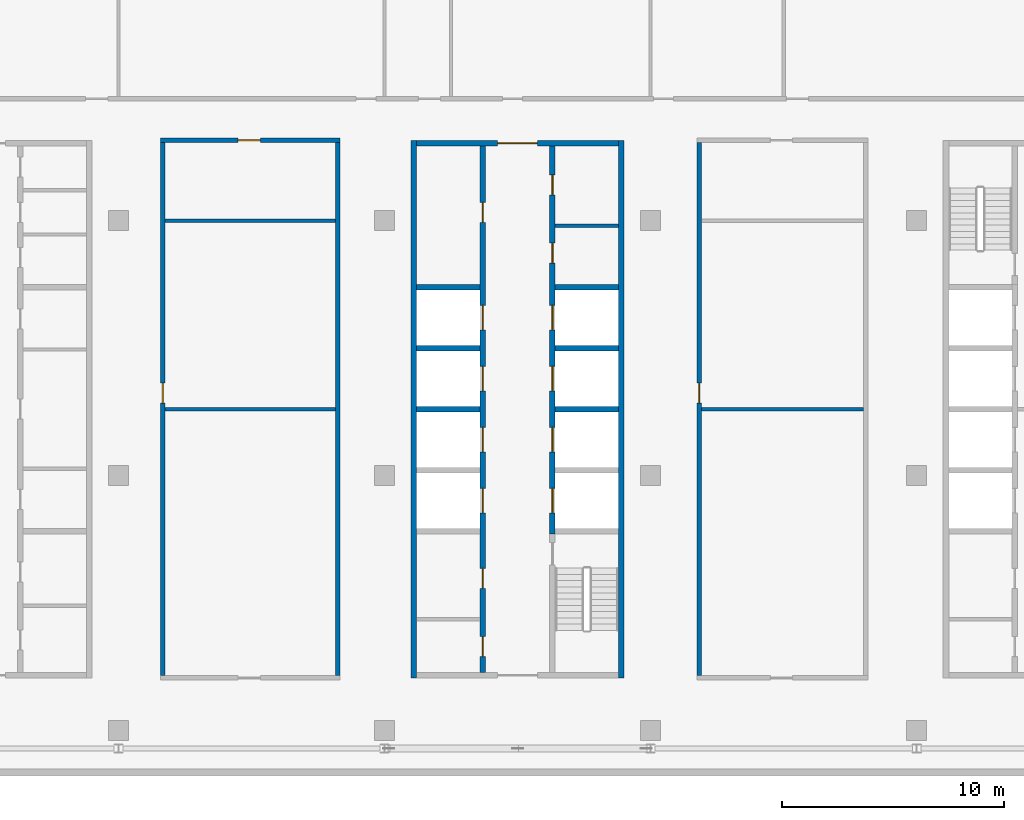
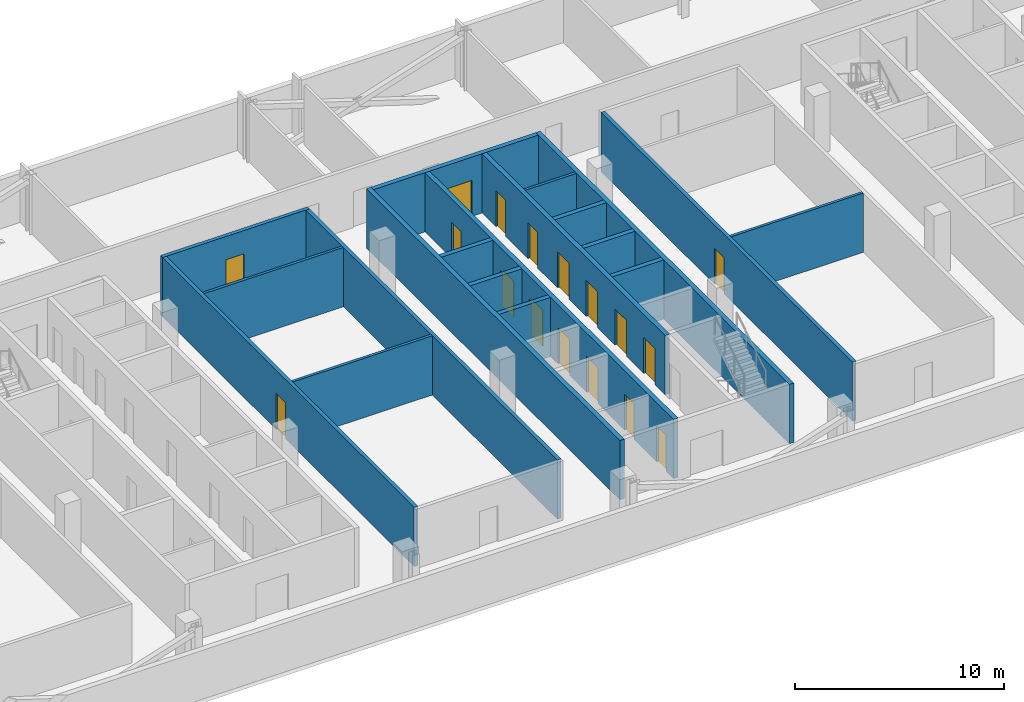
# One storey, part 15 of 28: 19 walls, 17 doors, 17 openings.
"""IFC4 building model written with IfcOpenShell, lengths in metres."""

from ifc_helpers import new_model, si_unit, direction, frame, frame_2d, origin, place, context, subcontext, project, spatial, rectangle, extrude, material, layer, layer_set, type_object, element, fill, save


model = new_model("IFC4")

# Units and contexts
model_context = context("Model", 3, precision=1e-05, world=origin(), true_north=direction((0.0, 1.0)))
body_context = subcontext(model_context, "Body", "Model", "MODEL_VIEW")
ifc_project = project(units=[si_unit("LENGTHUNIT", "METRE"), si_unit("AREAUNIT", "SQUARE_METRE"), si_unit("VOLUMEUNIT", "CUBIC_METRE"), si_unit("PLANEANGLEUNIT", "RADIAN"), si_unit("MASSUNIT", "GRAM", prefix="KILO")], contexts=[model_context])

# Site, building, storey
site_placement = place(None, origin())
site = spatial("IfcSite", under=ifc_project, at=site_placement, CompositionType="ELEMENT")
building_placement = place(site_placement, origin())
building = spatial("IfcBuilding", under=site, at=building_placement, Name="Mahtab Terrace Research Tower", CompositionType="ELEMENT")
storey_placement = place(building_placement, frame((0.0, 0.0, 270.89990234375)))
storey = spatial("IfcBuildingStorey", under=building, at=storey_placement, Name="L66", CompositionType="ELEMENT", Elevation=270.89990234375)

# Walls
ifc_material_1 = material(Name="Gypsum board partition")
ifc_layer_1 = layer(ifc_material_1, 0.14990234375)
ifc_layer_set_1 = layer_set([ifc_layer_1], Name="Core partition 150")
wall_type_1 = type_object("IfcWallType", Name="Core partition 150", PredefinedType="PARTITIONING", material=ifc_layer_set_1)
wall_1_placement = place(storey_placement, frame((1.699951171875, 11.27490234375, 0.0), z_axis=(0.0, 0.0, 1.0), x_axis=(1.0, 0.0, 0.0)))
element("IfcWall", 1, at=wall_1_placement, inside=storey, type_object=wall_type_1, Name="Core wall B pEN828", PredefinedType="PARTITIONING", context=body_context, shape_type="SweptSolid", body=[
    extrude(rectangle(XDim=2.85009765625, YDim=0.14990234375, at=frame_2d((1.425048828125, 0.0))), origin(), (0.0, 0.0, 1.0), 3.460205078125),
])
ifc_material_2 = material(Name="Concrete C70/85", Category="concrete")
ifc_layer_2 = layer(ifc_material_2, 0.25)
ifc_layer_set_2 = layer_set([ifc_layer_2], Name="Core wall 250")
wall_type_2 = type_object("IfcWallType", Name="Core wall 250", PredefinedType="SOLIDWALL", material=ifc_layer_set_2)
for number, where, z_axis, x_axis, name in (
    (2, (-4.675048828125, 15.125, 0.0), (0.0, 0.0, 1.0), (0.0, -1.0, 0.0), "Core wall B outerW"),
    (3, (4.675048828125, -9.125, 0.0), (0.0, 0.0, 1.0), (0.0, 1.0, 0.0), "Core wall B outerE"),
):
    element("IfcWall", number, at=place(storey_placement, frame(where, z_axis=z_axis, x_axis=x_axis)), inside=storey, type_object=wall_type_2, Name=name, PredefinedType="SOLIDWALL", context=body_context, shape_type="SweptSolid", body=[
        extrude(rectangle(XDim=24.25, YDim=0.25, at=frame_2d((12.125, 0.0))), origin(), (0.0, 0.0, 1.0), 3.460205078125),
    ])

# Wall, opening, door
wall_2_placement = place(storey_placement, frame((-4.550048828125, 15.0, 0.0), z_axis=(0.0, 0.0, 1.0), x_axis=(1.0, 0.0, 0.0)))
wall_2 = element("IfcWall", 4, at=wall_2_placement, inside=storey, type_object=wall_type_2, Name="Core wall B endN", PredefinedType="SOLIDWALL", context=body_context, shape_type="SweptSolid", body=[
    extrude(rectangle(XDim=9.10009765625, YDim=0.25, at=frame_2d((4.550048828125, 0.0))), origin(), (0.0, 0.0, 1.0), 3.460205078125),
])
opening_1_placement = place(wall_2_placement, frame((3.64990234375, 0.0, 0.0)))
opening_1 = element("IfcOpeningElement", 5, at=opening_1_placement, cuts=wall_2, Name="Opening B-N1", PredefinedType="OPENING", context=body_context, shape_type="SweptSolid", body=[
    extrude(rectangle(XDim=1.800048828125, YDim=2.10009765625, at=frame_2d((0.89990234375, 1.050048828125))), frame((0.0, 0.135009765625, 0.0), z_axis=(0.0, -1.0, 0.0), x_axis=(1.0, 0.0, 0.0)), (0.0, 0.0, 1.0), 0.27001953125),
])
ifc_material_3 = material(Name="Steel fire door", Category="steel")
door_type_1 = type_object("IfcDoorType", Name="Lobby double door 1800x2100 1 HR", OperationType="DOUBLE_DOOR_SINGLE_SWING", PredefinedType="DOOR", material=ifc_material_3)
door_1_placement = place(opening_1_placement, origin())
door_1 = element("IfcDoor", 6, at=door_1_placement, inside=storey, type_object=door_type_1, Name="Core entrance door B N", OperationType="DOUBLE_DOOR_SINGLE_SWING", OverallHeight=2.10009765625, OverallWidth=1.800048828125, PredefinedType="DOOR", context=body_context, shape_type="SweptSolid", body=[
    extrude(rectangle(XDim=1.800048828125, YDim=2.10009765625, at=frame_2d((0.89990234375, 1.050048828125))), frame((0.0, 0.02490234375, 0.0), z_axis=(0.0, -1.0, 0.0), x_axis=(1.0, 0.0, 0.0)), (0.0, 0.0, 1.0), 0.050048828125),
])
fill(opening_1, door_1)

# Wall, openings, doors
wall_3_placement = place(storey_placement, frame((-1.574951171875, -8.875, 0.0), z_axis=(0.0, 0.0, 1.0), x_axis=(0.0, 1.0, 0.0)))
wall_3 = element("IfcWall", 7, at=wall_3_placement, inside=storey, type_object=wall_type_2, Name="Core wall B innerWSLN", PredefinedType="SOLIDWALL", context=body_context, shape_type="SweptSolid", body=[
    extrude(rectangle(XDim=23.75, YDim=0.25, at=frame_2d((11.875, 0.0))), origin(), (0.0, 0.0, 1.0), 3.460205078125),
])
opening_2_placement = place(wall_3_placement, frame((7.199951171875, 0.0, 0.0)))
opening_2 = element("IfcOpeningElement", 8, at=opening_2_placement, cuts=wall_3, Name="Opening LD09-L66", PredefinedType="OPENING", context=body_context, shape_type="SweptSolid", body=[
    extrude(rectangle(XDim=1.10009765625, YDim=2.10009765625, at=frame_2d((0.550048828125, 1.050048828125))), frame((0.0, 0.135009765625, 0.0), z_axis=(0.0, -1.0, 0.0), x_axis=(1.0, 0.0, 0.0)), (0.0, 0.0, 1.0), 0.27001953125),
])
opening_3_placement = place(wall_3_placement, frame((9.949951171875, 0.0, 0.0)))
opening_3 = element("IfcOpeningElement", 9, at=opening_3_placement, cuts=wall_3, Name="Opening LD10-L66", PredefinedType="OPENING", context=body_context, shape_type="SweptSolid", body=[
    extrude(rectangle(XDim=1.10009765625, YDim=2.10009765625, at=frame_2d((0.550048828125, 1.050048828125))), frame((0.0, 0.135009765625, 0.0), z_axis=(0.0, -1.0, 0.0), x_axis=(1.0, 0.0, 0.0)), (0.0, 0.0, 1.0), 0.27001953125),
])
opening_4_placement = place(wall_3_placement, frame((12.699951171875, 0.0, 0.0)))
opening_4 = element("IfcOpeningElement", 10, at=opening_4_placement, cuts=wall_3, Name="Opening LD11-L66", PredefinedType="OPENING", context=body_context, shape_type="SweptSolid", body=[
    extrude(rectangle(XDim=1.10009765625, YDim=2.10009765625, at=frame_2d((0.550048828125, 1.050048828125))), frame((0.0, 0.135009765625, 0.0), z_axis=(0.0, -1.0, 0.0), x_axis=(1.0, 0.0, 0.0)), (0.0, 0.0, 1.0), 0.27001953125),
])
opening_5_placement = place(wall_3_placement, frame((15.449951171875, 0.0, 0.0)))
opening_5 = element("IfcOpeningElement", 11, at=opening_5_placement, cuts=wall_3, Name="Opening LD12-L66", PredefinedType="OPENING", context=body_context, shape_type="SweptSolid", body=[
    extrude(rectangle(XDim=1.10009765625, YDim=2.10009765625, at=frame_2d((0.550048828125, 1.050048828125))), frame((0.0, 0.135009765625, 0.0), z_axis=(0.0, -1.0, 0.0), x_axis=(1.0, 0.0, 0.0)), (0.0, 0.0, 1.0), 0.27001953125),
])
opening_6_placement = place(wall_3_placement, frame((0.71240234375, 0.0, 0.0)))
opening_6 = element("IfcOpeningElement", 12, at=opening_6_placement, cuts=wall_3, Name="Opening B-R1", PredefinedType="OPENING", context=body_context, shape_type="SweptSolid", body=[
    extrude(rectangle(XDim=0.89990234375, YDim=2.10009765625, at=frame_2d((0.449951171875, 1.050048828125))), frame((0.0, 0.135009765625, 0.0), z_axis=(0.0, -1.0, 0.0), x_axis=(1.0, 0.0, 0.0)), (0.0, 0.0, 1.0), 0.27001953125),
])
opening_7_placement = place(wall_3_placement, frame((3.78759765625, 0.0, 0.0)))
opening_7 = element("IfcOpeningElement", 13, at=opening_7_placement, cuts=wall_3, Name="Opening B-R2", PredefinedType="OPENING", context=body_context, shape_type="SweptSolid", body=[
    extrude(rectangle(XDim=0.89990234375, YDim=2.10009765625, at=frame_2d((0.449951171875, 1.050048828125))), frame((0.0, 0.135009765625, 0.0), z_axis=(0.0, -1.0, 0.0), x_axis=(1.0, 0.0, 0.0)), (0.0, 0.0, 1.0), 0.27001953125),
])
opening_8_placement = place(wall_3_placement, frame((20.300048828125, 0.0, 0.0)))
opening_8 = element("IfcOpeningElement", 14, at=opening_8_placement, cuts=wall_3, Name="Opening B-R3", PredefinedType="OPENING", context=body_context, shape_type="SweptSolid", body=[
    extrude(rectangle(XDim=0.89990234375, YDim=2.10009765625, at=frame_2d((0.449951171875, 1.050048828125))), frame((0.0, 0.135009765625, 0.0), z_axis=(0.0, -1.0, 0.0), x_axis=(1.0, 0.0, 0.0)), (0.0, 0.0, 1.0), 0.27001953125),
])
ifc_material_4 = material(Name="Stainless steel AISI 304", Category="steel")
door_type_2 = type_object("IfcDoorType", Name="Landing door 1100x2100", OperationType="DOUBLE_DOOR_SLIDING", PredefinedType="DOOR", material=ifc_material_4)
door_2_placement = place(opening_2_placement, origin())
door_2 = element("IfcDoor", 15, at=door_2_placement, inside=storey, type_object=door_type_2, Name="Landing door HR1 L66", OperationType="DOUBLE_DOOR_SLIDING", OverallHeight=2.10009765625, OverallWidth=1.10009765625, PredefinedType="DOOR", context=body_context, shape_type="SweptSolid", body=[
    extrude(rectangle(XDim=1.10009765625, YDim=2.10009765625, at=frame_2d((0.550048828125, 1.050048828125))), frame((0.0, 0.02490234375, 0.0), z_axis=(0.0, -1.0, 0.0), x_axis=(1.0, 0.0, 0.0)), (0.0, 0.0, 1.0), 0.050048828125),
])
fill(opening_2, door_2)
door_3_placement = place(opening_3_placement, origin())
door_3 = element("IfcDoor", 16, at=door_3_placement, inside=storey, type_object=door_type_2, Name="Landing door HR2 L66", OperationType="DOUBLE_DOOR_SLIDING", OverallHeight=2.10009765625, OverallWidth=1.10009765625, PredefinedType="DOOR", context=body_context, shape_type="SweptSolid", body=[
    extrude(rectangle(XDim=1.10009765625, YDim=2.10009765625, at=frame_2d((0.550048828125, 1.050048828125))), frame((0.0, 0.02490234375, 0.0), z_axis=(0.0, -1.0, 0.0), x_axis=(1.0, 0.0, 0.0)), (0.0, 0.0, 1.0), 0.050048828125),
])
fill(opening_3, door_3)
door_4_placement = place(opening_4_placement, origin())
door_4 = element("IfcDoor", 17, at=door_4_placement, inside=storey, type_object=door_type_2, Name="Landing door HR3 L66", OperationType="DOUBLE_DOOR_SLIDING", OverallHeight=2.10009765625, OverallWidth=1.10009765625, PredefinedType="DOOR", context=body_context, shape_type="SweptSolid", body=[
    extrude(rectangle(XDim=1.10009765625, YDim=2.10009765625, at=frame_2d((0.550048828125, 1.050048828125))), frame((0.0, 0.02490234375, 0.0), z_axis=(0.0, -1.0, 0.0), x_axis=(1.0, 0.0, 0.0)), (0.0, 0.0, 1.0), 0.050048828125),
])
fill(opening_4, door_4)
door_5_placement = place(opening_5_placement, origin())
door_5 = element("IfcDoor", 18, at=door_5_placement, inside=storey, type_object=door_type_2, Name="Landing door HR4 L66", OperationType="DOUBLE_DOOR_SLIDING", OverallHeight=2.10009765625, OverallWidth=1.10009765625, PredefinedType="DOOR", context=body_context, shape_type="SweptSolid", body=[
    extrude(rectangle(XDim=1.10009765625, YDim=2.10009765625, at=frame_2d((0.550048828125, 1.050048828125))), frame((0.0, 0.02490234375, 0.0), z_axis=(0.0, -1.0, 0.0), x_axis=(1.0, 0.0, 0.0)), (0.0, 0.0, 1.0), 0.050048828125),
])
fill(opening_5, door_5)
door_type_3 = type_object("IfcDoorType", Name="Room door 900x2100 1 HR", OperationType="NOTDEFINED", PredefinedType="DOOR", material=ifc_material_3)
door_6_placement = place(opening_6_placement, origin())
door_6 = element("IfcDoor", 19, at=door_6_placement, inside=storey, type_object=door_type_3, Name="Mechanical riser room door", OperationType="SINGLE_SWING_LEFT", OverallHeight=2.10009765625, OverallWidth=0.89990234375, PredefinedType="DOOR", context=body_context, shape_type="SweptSolid", body=[
    extrude(rectangle(XDim=0.89990234375, YDim=2.10009765625, at=frame_2d((0.449951171875, 1.050048828125))), frame((0.0, 0.02490234375, 0.0), z_axis=(0.0, -1.0, 0.0), x_axis=(1.0, 0.0, 0.0)), (0.0, 0.0, 1.0), 0.050048828125),
])
fill(opening_6, door_6)
door_7_placement = place(opening_7_placement, origin())
door_7 = element("IfcDoor", 20, at=door_7_placement, inside=storey, type_object=door_type_3, Name="Chemical store door", OperationType="SINGLE_SWING_RIGHT", OverallHeight=2.10009765625, OverallWidth=0.89990234375, PredefinedType="DOOR", context=body_context, shape_type="SweptSolid", body=[
    extrude(rectangle(XDim=0.89990234375, YDim=2.10009765625, at=frame_2d((0.449951171875, 1.050048828125))), frame((0.0, 0.02490234375, 0.0), z_axis=(0.0, -1.0, 0.0), x_axis=(1.0, 0.0, 0.0)), (0.0, 0.0, 1.0), 0.050048828125),
])
fill(opening_7, door_7)
door_8_placement = place(opening_8_placement, origin())
door_8 = element("IfcDoor", 21, at=door_8_placement, inside=storey, type_object=door_type_3, Name="Gas cylinder store door", OperationType="SINGLE_SWING_LEFT", OverallHeight=2.10009765625, OverallWidth=0.89990234375, PredefinedType="DOOR", context=body_context, shape_type="SweptSolid", body=[
    extrude(rectangle(XDim=0.89990234375, YDim=2.10009765625, at=frame_2d((0.449951171875, 1.050048828125))), frame((0.0, 0.02490234375, 0.0), z_axis=(0.0, -1.0, 0.0), x_axis=(1.0, 0.0, 0.0)), (0.0, 0.0, 1.0), 0.050048828125),
])
fill(opening_8, door_8)

wall_4_placement = place(storey_placement, frame((1.574951171875, 14.875, 0.0), z_axis=(0.0, 0.0, 1.0), x_axis=(0.0, -1.0, 0.0)))
wall_4 = element("IfcWall", 22, at=wall_4_placement, inside=storey, type_object=wall_type_2, Name="Core wall B innerELN", PredefinedType="SOLIDWALL", context=body_context, shape_type="SweptSolid", body=[
    extrude(rectangle(XDim=17.5, YDim=0.25, at=frame_2d((8.75, 0.0))), origin(), (0.0, 0.0, 1.0), 3.460205078125),
])
opening_9_placement = place(wall_4_placement, frame((15.449951171875, 0.0, 0.0)))
opening_9 = element("IfcOpeningElement", 23, at=opening_9_placement, cuts=wall_4, Name="Opening LD13-L66", PredefinedType="OPENING", context=body_context, shape_type="SweptSolid", body=[
    extrude(rectangle(XDim=1.10009765625, YDim=2.10009765625, at=frame_2d((0.550048828125, 1.050048828125))), frame((0.0, 0.135009765625, 0.0), z_axis=(0.0, -1.0, 0.0), x_axis=(1.0, 0.0, 0.0)), (0.0, 0.0, 1.0), 0.27001953125),
])
opening_10_placement = place(wall_4_placement, frame((12.699951171875, 0.0, 0.0)))
opening_10 = element("IfcOpeningElement", 24, at=opening_10_placement, cuts=wall_4, Name="Opening LD14-L66", PredefinedType="OPENING", context=body_context, shape_type="SweptSolid", body=[
    extrude(rectangle(XDim=1.10009765625, YDim=2.10009765625, at=frame_2d((0.550048828125, 1.050048828125))), frame((0.0, 0.135009765625, 0.0), z_axis=(0.0, -1.0, 0.0), x_axis=(1.0, 0.0, 0.0)), (0.0, 0.0, 1.0), 0.27001953125),
])
opening_11_placement = place(wall_4_placement, frame((9.949951171875, 0.0, 0.0)))
opening_11 = element("IfcOpeningElement", 25, at=opening_11_placement, cuts=wall_4, Name="Opening LD15-L66", PredefinedType="OPENING", context=body_context, shape_type="SweptSolid", body=[
    extrude(rectangle(XDim=1.10009765625, YDim=2.10009765625, at=frame_2d((0.550048828125, 1.050048828125))), frame((0.0, 0.135009765625, 0.0), z_axis=(0.0, -1.0, 0.0), x_axis=(1.0, 0.0, 0.0)), (0.0, 0.0, 1.0), 0.27001953125),
])
opening_12_placement = place(wall_4_placement, frame((7.199951171875, 0.0, 0.0)))
opening_12 = element("IfcOpeningElement", 26, at=opening_12_placement, cuts=wall_4, Name="Opening LD16-L66", PredefinedType="OPENING", context=body_context, shape_type="SweptSolid", body=[
    extrude(rectangle(XDim=1.10009765625, YDim=2.10009765625, at=frame_2d((0.550048828125, 1.050048828125))), frame((0.0, 0.135009765625, 0.0), z_axis=(0.0, -1.0, 0.0), x_axis=(1.0, 0.0, 0.0)), (0.0, 0.0, 1.0), 0.27001953125),
])
opening_13_placement = place(wall_4_placement, frame((4.387451171875, 0.0, 0.0)))
opening_13 = element("IfcOpeningElement", 27, at=opening_13_placement, cuts=wall_4, Name="Opening B-R4", PredefinedType="OPENING", context=body_context, shape_type="SweptSolid", body=[
    extrude(rectangle(XDim=0.89990234375, YDim=2.10009765625, at=frame_2d((0.449951171875, 1.050048828125))), frame((0.0, 0.135009765625, 0.0), z_axis=(0.0, -1.0, 0.0), x_axis=(1.0, 0.0, 0.0)), (0.0, 0.0, 1.0), 0.27001953125),
])
opening_14_placement = place(wall_4_placement, frame((1.3125, 0.0, 0.0)))
opening_14 = element("IfcOpeningElement", 28, at=opening_14_placement, cuts=wall_4, Name="Opening B-R5", PredefinedType="OPENING", context=body_context, shape_type="SweptSolid", body=[
    extrude(rectangle(XDim=0.89990234375, YDim=2.10009765625, at=frame_2d((0.449951171875, 1.050048828125))), frame((0.0, 0.135009765625, 0.0), z_axis=(0.0, -1.0, 0.0), x_axis=(1.0, 0.0, 0.0)), (0.0, 0.0, 1.0), 0.27001953125),
])
door_9_placement = place(opening_9_placement, origin())
door_9 = element("IfcDoor", 29, at=door_9_placement, inside=storey, type_object=door_type_2, Name="Landing door HR5 L66", OperationType="DOUBLE_DOOR_SLIDING", OverallHeight=2.10009765625, OverallWidth=1.10009765625, PredefinedType="DOOR", context=body_context, shape_type="SweptSolid", body=[
    extrude(rectangle(XDim=1.10009765625, YDim=2.10009765625, at=frame_2d((0.550048828125, 1.050048828125))), frame((0.0, 0.02490234375, 0.0), z_axis=(0.0, -1.0, 0.0), x_axis=(1.0, 0.0, 0.0)), (0.0, 0.0, 1.0), 0.050048828125),
])
fill(opening_9, door_9)
door_10_placement = place(opening_10_placement, origin())
door_10 = element("IfcDoor", 30, at=door_10_placement, inside=storey, type_object=door_type_2, Name="Landing door HR6 L66", OperationType="DOUBLE_DOOR_SLIDING", OverallHeight=2.10009765625, OverallWidth=1.10009765625, PredefinedType="DOOR", context=body_context, shape_type="SweptSolid", body=[
    extrude(rectangle(XDim=1.10009765625, YDim=2.10009765625, at=frame_2d((0.550048828125, 1.050048828125))), frame((0.0, 0.02490234375, 0.0), z_axis=(0.0, -1.0, 0.0), x_axis=(1.0, 0.0, 0.0)), (0.0, 0.0, 1.0), 0.050048828125),
])
fill(opening_10, door_10)
door_11_placement = place(opening_11_placement, origin())
door_11 = element("IfcDoor", 31, at=door_11_placement, inside=storey, type_object=door_type_2, Name="Landing door HR7 L66", OperationType="DOUBLE_DOOR_SLIDING", OverallHeight=2.10009765625, OverallWidth=1.10009765625, PredefinedType="DOOR", context=body_context, shape_type="SweptSolid", body=[
    extrude(rectangle(XDim=1.10009765625, YDim=2.10009765625, at=frame_2d((0.550048828125, 1.050048828125))), frame((0.0, 0.02490234375, 0.0), z_axis=(0.0, -1.0, 0.0), x_axis=(1.0, 0.0, 0.0)), (0.0, 0.0, 1.0), 0.050048828125),
])
fill(opening_11, door_11)
door_12_placement = place(opening_12_placement, origin())
door_12 = element("IfcDoor", 32, at=door_12_placement, inside=storey, type_object=door_type_2, Name="Landing door HR8 L66", OperationType="DOUBLE_DOOR_SLIDING", OverallHeight=2.10009765625, OverallWidth=1.10009765625, PredefinedType="DOOR", context=body_context, shape_type="SweptSolid", body=[
    extrude(rectangle(XDim=1.10009765625, YDim=2.10009765625, at=frame_2d((0.550048828125, 1.050048828125))), frame((0.0, 0.02490234375, 0.0), z_axis=(0.0, -1.0, 0.0), x_axis=(1.0, 0.0, 0.0)), (0.0, 0.0, 1.0), 0.050048828125),
])
fill(opening_12, door_12)
door_13_placement = place(opening_13_placement, origin())
door_13 = element("IfcDoor", 33, at=door_13_placement, inside=storey, type_object=door_type_3, Name="Accessible WC door", OperationType="SINGLE_SWING_RIGHT", OverallHeight=2.10009765625, OverallWidth=0.89990234375, PredefinedType="DOOR", context=body_context, shape_type="SweptSolid", body=[
    extrude(rectangle(XDim=0.89990234375, YDim=2.10009765625, at=frame_2d((0.449951171875, 1.050048828125))), frame((0.0, 0.02490234375, 0.0), z_axis=(0.0, -1.0, 0.0), x_axis=(1.0, 0.0, 0.0)), (0.0, 0.0, 1.0), 0.050048828125),
])
fill(opening_13, door_13)
door_14_placement = place(opening_14_placement, origin())
door_14 = element("IfcDoor", 34, at=door_14_placement, inside=storey, type_object=door_type_3, Name="WC block door", OperationType="SINGLE_SWING_LEFT", OverallHeight=2.10009765625, OverallWidth=0.89990234375, PredefinedType="DOOR", context=body_context, shape_type="SweptSolid", body=[
    extrude(rectangle(XDim=0.89990234375, YDim=2.10009765625, at=frame_2d((0.449951171875, 1.050048828125))), frame((0.0, 0.02490234375, 0.0), z_axis=(0.0, -1.0, 0.0), x_axis=(1.0, 0.0, 0.0)), (0.0, 0.0, 1.0), 0.050048828125),
])
fill(opening_14, door_14)

# Walls
for number, where, z_axis, x_axis, name in (
    (35, (-4.550048828125, 3.0, 0.0), (0.0, 0.0, 1.0), (1.0, 0.0, 0.0), "Core wall B divW2"),
    (36, (-4.550048828125, 5.75, 0.0), (0.0, 0.0, 1.0), (1.0, 0.0, 0.0), "Core wall B divW3"),
    (37, (-4.550048828125, 8.5, 0.0), (0.0, 0.0, 1.0), (1.0, 0.0, 0.0), "Core wall B divW4"),
    (38, (1.699951171875, 3.0, 0.0), (0.0, 0.0, 1.0), (1.0, 0.0, 0.0), "Core wall B divE2"),
    (39, (1.699951171875, 5.75, 0.0), (0.0, 0.0, 1.0), (1.0, 0.0, 0.0), "Core wall B divE3"),
    (40, (1.699951171875, 8.5, 0.0), (0.0, 0.0, 1.0), (1.0, 0.0, 0.0), "Core wall B divE4"),
):
    element("IfcWall", number, at=place(storey_placement, frame(where, z_axis=z_axis, x_axis=x_axis)), inside=storey, type_object=wall_type_2, Name=name, PredefinedType="SOLIDWALL", context=body_context, shape_type="SweptSolid", body=[
        extrude(rectangle(XDim=2.85009765625, YDim=0.25, at=frame_2d((1.425048828125, 0.0))), origin(), (0.0, 0.0, 1.0), 3.460205078125),
    ])

# Wall, opening, door
ifc_material_5 = material(Name="Gypsum board corridor wall on steel studs", Category="steel")
ifc_layer_3 = layer(ifc_material_5, 0.199951171875)
ifc_layer_set_3 = layer_set([ifc_layer_3], Name="WALL CORRIDOR 200")
wall_type_3 = type_object("IfcWallType", Name="WALL CORRIDOR 200", PredefinedType="PARTITIONING", material=ifc_layer_set_3)
wall_5_placement = place(storey_placement, frame((-16.10009765625, 15.125, 0.0), z_axis=(0.0, 0.0, 1.0), x_axis=(1.0, 0.0, 0.0)))
wall_5 = element("IfcWall", 41, at=wall_5_placement, inside=storey, type_object=wall_type_3, Name="L66-W016", PredefinedType="PARTITIONING", context=body_context, shape_type="SweptSolid", body=[
    extrude(rectangle(XDim=8.10009765625, YDim=0.199951171875, at=frame_2d((4.050048828125, 0.0))), origin(), (0.0, 0.0, 1.0), 3.460205078125),
])
opening_15_placement = place(wall_5_placement, frame((3.5, 0.0, 0.0)))
opening_15 = element("IfcOpeningElement", 42, at=opening_15_placement, cuts=wall_5, Name="Opening L66-110", PredefinedType="OPENING", context=body_context, shape_type="SweptSolid", body=[
    extrude(rectangle(XDim=1.0, YDim=2.10009765625, at=frame_2d((0.5, 1.050048828125))), frame((0.0, 0.10986328125, 0.0), z_axis=(0.0, -1.0, 0.0), x_axis=(1.0, 0.0, 0.0)), (0.0, 0.0, 1.0), 0.219970703125),
])
ifc_material_6 = material(Name="Timber door leaf in steel frame", Category="steel")
door_type_4 = type_object("IfcDoorType", Name="DOOR 1000X2100 FD30S", OperationType="SINGLE_SWING_LEFT", PredefinedType="DOOR", material=ifc_material_6)
door_15_placement = place(opening_15_placement, origin())
door_15 = element("IfcDoor", 43, at=door_15_placement, inside=storey, type_object=door_type_4, Name="Door L66-110", OperationType="SINGLE_SWING_RIGHT", OverallHeight=2.10009765625, OverallWidth=1.0, PredefinedType="DOOR", context=body_context, shape_type="SweptSolid", body=[
    extrude(rectangle(XDim=1.0, YDim=2.10009765625, at=frame_2d((0.5, 1.050048828125))), frame((0.0, 0.02490234375, 0.0), z_axis=(0.0, -1.0, 0.0), x_axis=(1.0, 0.0, 0.0)), (0.0, 0.0, 1.0), 0.050048828125),
])
fill(opening_15, door_15)

wall_6_placement = place(storey_placement, frame((-16.0, -9.02490234375, 0.0), z_axis=(0.0, 0.0, 1.0), x_axis=(0.0, 1.0, 0.0)))
wall_6 = element("IfcWall", 44, at=wall_6_placement, inside=storey, type_object=wall_type_3, Name="L66-W026", PredefinedType="PARTITIONING", context=body_context, shape_type="SweptSolid", body=[
    extrude(rectangle(XDim=24.0498046875, YDim=0.199951171875, at=frame_2d((12.02490234375, 0.0))), origin(), (0.0, 0.0, 1.0), 3.460205078125),
])
opening_16_placement = place(wall_6_placement, frame((12.300048828125, 0.0, 0.0)))
opening_16 = element("IfcOpeningElement", 45, at=opening_16_placement, cuts=wall_6, Name="Opening L66-106", PredefinedType="OPENING", context=body_context, shape_type="SweptSolid", body=[
    extrude(rectangle(XDim=0.89990234375, YDim=2.10009765625, at=frame_2d((0.449951171875, 1.050048828125))), frame((0.0, 0.10986328125, 0.0), z_axis=(0.0, -1.0, 0.0), x_axis=(1.0, 0.0, 0.0)), (0.0, 0.0, 1.0), 0.219970703125),
])
door_type_5 = type_object("IfcDoorType", Name="DOOR 0900X2100 FD30S", OperationType="SINGLE_SWING_LEFT", PredefinedType="DOOR", material=ifc_material_6)
door_16_placement = place(opening_16_placement, origin())
door_16 = element("IfcDoor", 46, at=door_16_placement, inside=storey, type_object=door_type_5, Name="Door L66-106", OperationType="SINGLE_SWING_LEFT", OverallHeight=2.10009765625, OverallWidth=0.89990234375, PredefinedType="DOOR", context=body_context, shape_type="SweptSolid", body=[
    extrude(rectangle(XDim=0.89990234375, YDim=2.10009765625, at=frame_2d((0.449951171875, 1.050048828125))), frame((0.0, 0.02490234375, 0.0), z_axis=(0.0, -1.0, 0.0), x_axis=(1.0, 0.0, 0.0)), (0.0, 0.0, 1.0), 0.050048828125),
])
fill(opening_16, door_16)

# Wall
wall_7_placement = place(storey_placement, frame((-8.10009765625, -9.02490234375, 0.0), z_axis=(0.0, 0.0, 1.0), x_axis=(0.0, 1.0, 0.0)))
element("IfcWall", 47, at=wall_7_placement, inside=storey, type_object=wall_type_3, Name="L66-W027", PredefinedType="PARTITIONING", context=body_context, shape_type="SweptSolid", body=[
    extrude(rectangle(XDim=24.0498046875, YDim=0.199951171875, at=frame_2d((12.02490234375, 0.0))), origin(), (0.0, 0.0, 1.0), 3.460205078125),
])

# Wall, opening, door
wall_8_placement = place(storey_placement, frame((8.199951171875, -9.02490234375, 0.0), z_axis=(0.0, 0.0, 1.0), x_axis=(0.0, 1.0, 0.0)))
wall_8 = element("IfcWall", 48, at=wall_8_placement, inside=storey, type_object=wall_type_3, Name="L66-W032", PredefinedType="PARTITIONING", context=body_context, shape_type="SweptSolid", body=[
    extrude(rectangle(XDim=24.0498046875, YDim=0.199951171875, at=frame_2d((12.02490234375, 0.0))), origin(), (0.0, 0.0, 1.0), 3.460205078125),
])
opening_17_placement = place(wall_8_placement, frame((12.300048828125, 0.0, 0.0)))
opening_17 = element("IfcOpeningElement", 49, at=opening_17_placement, cuts=wall_8, Name="Opening L66-107", PredefinedType="OPENING", context=body_context, shape_type="SweptSolid", body=[
    extrude(rectangle(XDim=0.89990234375, YDim=2.10009765625, at=frame_2d((0.449951171875, 1.050048828125))), frame((0.0, 0.10986328125, 0.0), z_axis=(0.0, -1.0, 0.0), x_axis=(1.0, 0.0, 0.0)), (0.0, 0.0, 1.0), 0.219970703125),
])
door_17_placement = place(opening_17_placement, origin())
door_17 = element("IfcDoor", 50, at=door_17_placement, inside=storey, type_object=door_type_5, Name="Door L66-107", OperationType="SINGLE_SWING_LEFT", OverallHeight=2.10009765625, OverallWidth=0.89990234375, PredefinedType="DOOR", context=body_context, shape_type="SweptSolid", body=[
    extrude(rectangle(XDim=0.89990234375, YDim=2.10009765625, at=frame_2d((0.449951171875, 1.050048828125))), frame((0.0, 0.02490234375, 0.0), z_axis=(0.0, -1.0, 0.0), x_axis=(1.0, 0.0, 0.0)), (0.0, 0.0, 1.0), 0.050048828125),
])
fill(opening_17, door_17)

# Walls
ifc_material_7 = material(Name="Gypsum board partition on steel studs", Category="steel")
ifc_layer_4 = layer(ifc_material_7, 0.14990234375)
ifc_layer_set_4 = layer_set([ifc_layer_4], Name="WALL PARTITION 150")
wall_type_4 = type_object("IfcWallType", Name="WALL PARTITION 150", PredefinedType="PARTITIONING", material=ifc_layer_set_4)
wall_9_placement = place(storey_placement, frame((-15.89990234375, 3.0, 0.0), z_axis=(0.0, 0.0, 1.0), x_axis=(1.0, 0.0, 0.0)))
element("IfcWall", 51, at=wall_9_placement, inside=storey, type_object=wall_type_4, Name="L66-W006", PredefinedType="PARTITIONING", context=body_context, shape_type="SweptSolid", body=[
    extrude(rectangle(XDim=7.699951171875, YDim=0.14990234375, at=frame_2d((3.85009765625, 0.0))), origin(), (0.0, 0.0, 1.0), 3.460205078125),
])
wall_10_placement = place(storey_placement, frame((8.300048828125, 3.0, 0.0), z_axis=(0.0, 0.0, 1.0), x_axis=(1.0, 0.0, 0.0)))
element("IfcWall", 52, at=wall_10_placement, inside=storey, type_object=wall_type_4, Name="L66-W007", PredefinedType="PARTITIONING", context=body_context, shape_type="SweptSolid", body=[
    extrude(rectangle(XDim=7.300048828125, YDim=0.14990234375, at=frame_2d((3.64990234375, 0.0))), origin(), (0.0, 0.0, 1.0), 3.460205078125),
])
wall_11_placement = place(storey_placement, frame((-15.89990234375, 11.5, 0.0), z_axis=(0.0, 0.0, 1.0), x_axis=(1.0, 0.0, 0.0)))
element("IfcWall", 53, at=wall_11_placement, inside=storey, type_object=wall_type_4, Name="L66-W011", PredefinedType="PARTITIONING", context=body_context, shape_type="SweptSolid", body=[
    extrude(rectangle(XDim=7.699951171875, YDim=0.14990234375, at=frame_2d((3.85009765625, 0.0))), origin(), (0.0, 0.0, 1.0), 3.460205078125),
])

save(model, "model.ifc")
